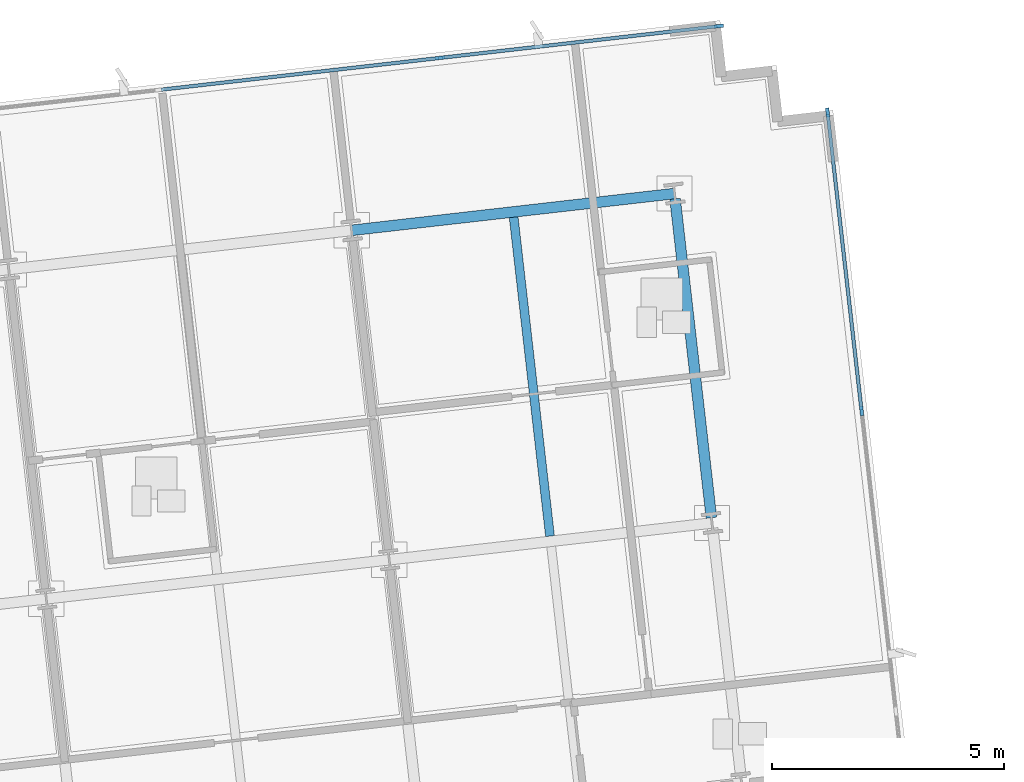
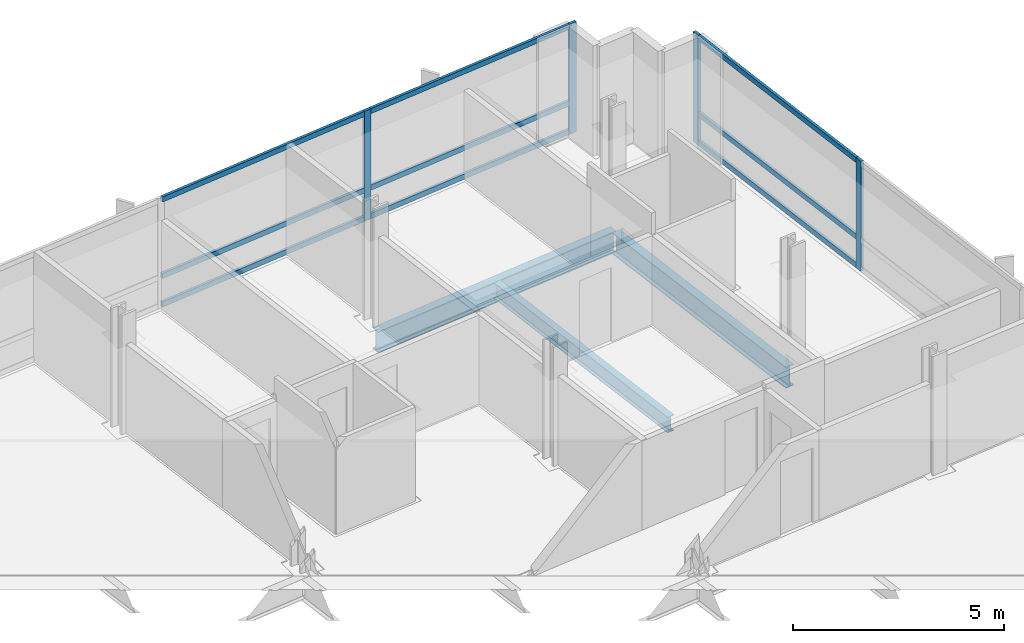
# One storey, part 6 of 17: 13 members, 3 beams, 2 elements without a shape of their own.
"""IFC4 building model written with IfcOpenShell, lengths in metres."""

from ifc_helpers import new_model, si_unit, direction, frame, origin, origin_2d, place, context, subcontext, project, spatial, rectangle, i_section, extrude, material, material_profile, profile_set, type_object, element, aggregate, save


model = new_model("IFC4")

# Units and contexts
model_context = context("Model", 3, precision=1e-05, world=origin(), true_north=direction((0.0, 1.0)))
body_context = subcontext(model_context, "Body", "Model", "MODEL_VIEW")
ifc_project = project(units=[si_unit("LENGTHUNIT", "METRE"), si_unit("AREAUNIT", "SQUARE_METRE"), si_unit("VOLUMEUNIT", "CUBIC_METRE"), si_unit("PLANEANGLEUNIT", "RADIAN"), si_unit("MASSUNIT", "GRAM", prefix="KILO")], contexts=[model_context])

# Site, building, storey
site_placement = place(None, origin())
site = spatial("IfcSite", under=ifc_project, at=site_placement, CompositionType="ELEMENT")
building_placement = place(site_placement, origin())
building = spatial("IfcBuilding", under=site, at=building_placement, Name="Solmavex Isthmus Hotel", CompositionType="ELEMENT")
storey_placement = place(building_placement, frame((0.0, 0.0, 202.050048828125)))
storey = spatial("IfcBuildingStorey", under=building, at=storey_placement, Name="L54", CompositionType="ELEMENT", Elevation=202.050048828125)

# Beams
ifc_material_1 = material(Name="Steel ASTM A992 Grade 50", Category="steel")
ifc_material_profile_1 = material_profile(ifc_material_1, i_section(OverallWidth=0.1904296875, OverallDepth=0.456787109375, WebThickness=0.009033203125, FlangeThickness=0.014404296875, FilletRadius=0.0126953125, at=origin_2d()), Name="W18X50")
ifc_profile_set_1 = profile_set([ifc_material_profile_1], Name="Steel ASTM A992 Grade 50")
beam_type_1 = type_object("IfcBeamType", Name="BM-BJ-W18X50", PredefinedType="JOIST", material=ifc_profile_set_1)
beam_1_placement = place(storey_placement, frame((21.587646484375, 11.7939453125, -0.488525390625), z_axis=(-0.113202453846, 0.993571942258, 0.0), x_axis=(-0.993571942258, -0.113202453846, 0.0)))
element("IfcBeam", 1, at=beam_1_placement, inside=storey, type_object=beam_type_1, Name="Secondary Floor Joist L54-J21", PredefinedType="JOIST", context=body_context, shape_type="SweptSolid", body=[
    extrude(i_section(OverallWidth=0.1904296875, OverallDepth=0.456787109375, WebThickness=0.009033203125, FlangeThickness=0.014404296875, FilletRadius=0.0126953125, at=origin_2d()), origin(), (0.0, 0.0, 1.0), 6.9228515625),
])
ifc_material_profile_2 = material_profile(ifc_material_1, i_section(OverallWidth=0.230224609375, OverallDepth=0.617431640625, WebThickness=0.01318359375, FlangeThickness=0.022216796875, FilletRadius=0.01513671875, at=origin_2d()), Name="W24X94")
ifc_profile_set_2 = profile_set([ifc_material_profile_2], Name="Steel ASTM A992 Grade 50")
beam_type_2 = type_object("IfcBeamType", Name="BM-SP-W24X94", PredefinedType="SPANDREL", material=ifc_profile_set_2)
beam_2_placement = place(storey_placement, frame((17.3095703125, 18.39013671875, -0.56884765625), z_axis=(0.99357359356, 0.113187959519, 0.0), x_axis=(-0.113187959519, 0.99357359356, 0.0)))
element("IfcBeam", 2, at=beam_2_placement, inside=storey, type_object=beam_type_2, Name="Floor Girder L54-UG23", PredefinedType="SPANDREL", context=body_context, shape_type="SweptSolid", body=[
    extrude(i_section(OverallWidth=0.230224609375, OverallDepth=0.617431640625, WebThickness=0.01318359375, FlangeThickness=0.022216796875, FilletRadius=0.01513671875, at=origin_2d()), origin(), (0.0, 0.0, 1.0), 7.0078125),
])
beam_3_placement = place(storey_placement, frame((25.0693359375, 12.1904296875, -0.56884765625), z_axis=(-0.113202453846, 0.993571942258, 0.0), x_axis=(-0.993571942258, -0.113202453846, 0.0)))
element("IfcBeam", 3, at=beam_3_placement, inside=storey, type_object=beam_type_2, Name="Floor Beam L54-VG45", PredefinedType="SPANDREL", context=body_context, shape_type="SweptSolid", body=[
    extrude(i_section(OverallWidth=0.230224609375, OverallDepth=0.617431640625, WebThickness=0.01318359375, FlangeThickness=0.022216796875, FilletRadius=0.01513671875, at=origin_2d()), origin(), (0.0, 0.0, 1.0), 6.9228515625),
])

# Curtain wall, members
ifc_material_2 = material(Name="Aluminium alloy 6063-T6", Category="aluminium")
curtain_wall_type = type_object("IfcCurtainWallType", Name="CW-SYS-04", PredefinedType="NOTDEFINED", material=ifc_material_2)
curtain_wall_1_placement = place(storey_placement, origin())
curtain_wall_1 = element("IfcCurtainWall", 4, at=curtain_wall_1_placement, inside=storey, type_object=curtain_wall_type, Name="Stick Curtain Wall CWL-L54-N3", PredefinedType="NOTDEFINED")
ifc_material_profile_3 = material_profile(ifc_material_2, rectangle(XDim=0.074951171875, YDim=0.199951171875, at=origin_2d()), Name="CWM-75X200")
ifc_profile_set_3 = profile_set([ifc_material_profile_3], Name="Aluminium alloy 6063-T6")
member_type_1 = type_object("IfcMemberType", Name="CW-SYS-04-MUL", PredefinedType="MULLION", material=ifc_profile_set_3)
member_1_placement = place(storey_placement, frame((19.21630859375, 22.10986328125, 0.0), z_axis=(0.0, 0.0, 1.0), x_axis=(-0.113203493636, 0.99357182379, 0.0)))
member_1 = element("IfcMember", 5, at=member_1_placement, type_object=member_type_1, Name="CW-04 mullion 3", PredefinedType="MULLION", context=body_context, shape_type="SweptSolid", body=[
    extrude(rectangle(XDim=0.074951171875, YDim=0.199951171875, at=origin_2d()), origin(), (0.0, 0.0, 1.0), 3.18994140625),
])
member_2_placement = place(storey_placement, frame((25.232177734375, 22.795166015625, 0.0), z_axis=(0.0, 0.0, 1.0), x_axis=(-0.113203493636, 0.99357182379, 0.0)))
member_2 = element("IfcMember", 6, at=member_2_placement, type_object=member_type_1, Name="CW-04 mullion 4", PredefinedType="MULLION", context=body_context, shape_type="SweptSolid", body=[
    extrude(rectangle(XDim=0.074951171875, YDim=0.199951171875, at=origin_2d()), origin(), (0.0, 0.0, 1.0), 3.18994140625),
])

curtain_wall_2_placement = place(storey_placement, origin())
curtain_wall_2 = element("IfcCurtainWall", 7, at=curtain_wall_2_placement, inside=storey, type_object=curtain_wall_type, Name="Stick Curtain Wall CWL-L54-E1", PredefinedType="NOTDEFINED")
member_3_placement = place(storey_placement, frame((28.309814453125, 14.490234375, 0.0), z_axis=(0.0, 0.0, 1.0), x_axis=(-0.993571836648, -0.11320338078, 0.0)))
member_3 = element("IfcMember", 8, at=member_3_placement, type_object=member_type_1, Name="CW-04 mullion 5", PredefinedType="MULLION", context=body_context, shape_type="SweptSolid", body=[
    extrude(rectangle(XDim=0.074951171875, YDim=0.199951171875, at=origin_2d()), origin(), (0.0, 0.0, 1.0), 3.18994140625),
])
member_4_placement = place(storey_placement, frame((27.575927734375, 20.93115234375, 0.0), z_axis=(0.0, 0.0, 1.0), x_axis=(-0.993571836648, -0.11320338078, 0.0)))
member_4 = element("IfcMember", 9, at=member_4_placement, type_object=member_type_1, Name="CW-04 mullion 6", PredefinedType="MULLION", context=body_context, shape_type="SweptSolid", body=[
    extrude(rectangle(XDim=0.074951171875, YDim=0.199951171875, at=origin_2d()), origin(), (0.0, 0.0, 1.0), 3.18994140625),
])

# Member
ifc_material_profile_4 = material_profile(ifc_material_2, rectangle(XDim=0.074951171875, YDim=0.14990234375, at=origin_2d()), Name="CWT-75X150")
ifc_profile_set_4 = profile_set([ifc_material_profile_4], Name="Aluminium alloy 6063-T6")
member_type_2 = type_object("IfcMemberType", Name="CW-SYS-04-TRN", PredefinedType="USERDEFINED", material=ifc_profile_set_4)
member_5_placement = place(storey_placement, frame((13.200439453125, 21.42431640625, 0.074951171875), z_axis=(0.993572627374, 0.113196440458, 0.0), x_axis=(-0.113196440458, 0.993572627374, 0.0)))
member_5 = element("IfcMember", 10, at=member_5_placement, type_object=member_type_2, Name="CW-04 transom 2.1", ObjectType="TRANSOM", PredefinedType="USERDEFINED", context=body_context, shape_type="SweptSolid", body=[
    extrude(rectangle(XDim=0.074951171875, YDim=0.14990234375, at=origin_2d()), origin(), (0.0, 0.0, 1.0), 6.017333984375),
])

member_6_placement = place(storey_placement, frame((13.200439453125, 21.42431640625, 0.89990234375), z_axis=(0.993572627374, 0.113196440458, 0.0), x_axis=(-0.113196440458, 0.993572627374, 0.0)))
member_6 = element("IfcMember", 11, at=member_6_placement, type_object=member_type_2, Name="CW-04 transom 2.2", ObjectType="TRANSOM", PredefinedType="USERDEFINED", context=body_context, shape_type="SweptSolid", body=[
    extrude(rectangle(XDim=0.074951171875, YDim=0.14990234375, at=origin_2d()), origin(), (0.0, 0.0, 1.0), 6.017333984375),
])

member_7_placement = place(storey_placement, frame((13.200439453125, 21.42431640625, 3.114990234375), z_axis=(0.993572627374, 0.113196440458, 0.0), x_axis=(-0.113196440458, 0.993572627374, 0.0)))
member_7 = element("IfcMember", 12, at=member_7_placement, type_object=member_type_2, Name="CW-04 transom 2.3", ObjectType="TRANSOM", PredefinedType="USERDEFINED", context=body_context, shape_type="SweptSolid", body=[
    extrude(rectangle(XDim=0.074951171875, YDim=0.14990234375, at=origin_2d()), origin(), (0.0, 0.0, 1.0), 6.017333984375),
])

member_8_placement = place(storey_placement, frame((19.253662109375, 22.114013671875, 0.074951171875), z_axis=(0.993570647741, 0.113213815179, 0.0), x_axis=(-0.113213815179, 0.993570647741, 0.0)))
member_8 = element("IfcMember", 13, at=member_8_placement, type_object=member_type_2, Name="CW-04 transom 3.1", ObjectType="TRANSOM", PredefinedType="USERDEFINED", context=body_context, shape_type="SweptSolid", body=[
    extrude(rectangle(XDim=0.074951171875, YDim=0.14990234375, at=origin_2d()), origin(), (0.0, 0.0, 1.0), 5.979736328125),
])

member_9_placement = place(storey_placement, frame((19.253662109375, 22.114013671875, 0.89990234375), z_axis=(0.993570647741, 0.113213815179, 0.0), x_axis=(-0.113213815179, 0.993570647741, 0.0)))
member_9 = element("IfcMember", 14, at=member_9_placement, type_object=member_type_2, Name="CW-04 transom 3.2", ObjectType="TRANSOM", PredefinedType="USERDEFINED", context=body_context, shape_type="SweptSolid", body=[
    extrude(rectangle(XDim=0.074951171875, YDim=0.14990234375, at=origin_2d()), origin(), (0.0, 0.0, 1.0), 5.979736328125),
])

member_10_placement = place(storey_placement, frame((19.253662109375, 22.114013671875, 3.114990234375), z_axis=(0.993570647741, 0.113213815179, 0.0), x_axis=(-0.113213815179, 0.993570647741, 0.0)))
member_10 = element("IfcMember", 15, at=member_10_placement, type_object=member_type_2, Name="CW-04 transom 3.3", ObjectType="TRANSOM", PredefinedType="USERDEFINED", context=body_context, shape_type="SweptSolid", body=[
    extrude(rectangle(XDim=0.074951171875, YDim=0.14990234375, at=origin_2d()), origin(), (0.0, 0.0, 1.0), 5.979736328125),
])

aggregate(curtain_wall_1, [member_1, member_2, member_5, member_6, member_7, member_8, member_9, member_10])

member_11_placement = place(storey_placement, frame((28.305419921875, 14.527587890625, 0.074951171875), z_axis=(-0.113203780919, 0.993571791058, 0.0), x_axis=(-0.993571791058, -0.113203780919, 0.0)))
member_11 = element("IfcMember", 16, at=member_11_placement, type_object=member_type_2, Name="CW-04 transom 5.1", ObjectType="TRANSOM", PredefinedType="USERDEFINED", context=body_context, shape_type="SweptSolid", body=[
    extrude(rectangle(XDim=0.074951171875, YDim=0.14990234375, at=origin_2d()), origin(), (0.0, 0.0, 1.0), 6.407470703125),
])

member_12_placement = place(storey_placement, frame((28.305419921875, 14.527587890625, 0.89990234375), z_axis=(-0.113203780919, 0.993571791058, 0.0), x_axis=(-0.993571791058, -0.113203780919, 0.0)))
member_12 = element("IfcMember", 17, at=member_12_placement, type_object=member_type_2, Name="CW-04 transom 5.2", ObjectType="TRANSOM", PredefinedType="USERDEFINED", context=body_context, shape_type="SweptSolid", body=[
    extrude(rectangle(XDim=0.074951171875, YDim=0.14990234375, at=origin_2d()), origin(), (0.0, 0.0, 1.0), 6.407470703125),
])

member_13_placement = place(storey_placement, frame((28.305419921875, 14.527587890625, 3.114990234375), z_axis=(-0.113203780919, 0.993571791058, 0.0), x_axis=(-0.993571791058, -0.113203780919, 0.0)))
member_13 = element("IfcMember", 18, at=member_13_placement, type_object=member_type_2, Name="CW-04 transom 5.3", ObjectType="TRANSOM", PredefinedType="USERDEFINED", context=body_context, shape_type="SweptSolid", body=[
    extrude(rectangle(XDim=0.074951171875, YDim=0.14990234375, at=origin_2d()), origin(), (0.0, 0.0, 1.0), 6.407470703125),
])

aggregate(curtain_wall_2, [member_3, member_4, member_11, member_12, member_13])

save(model, "model.ifc")
